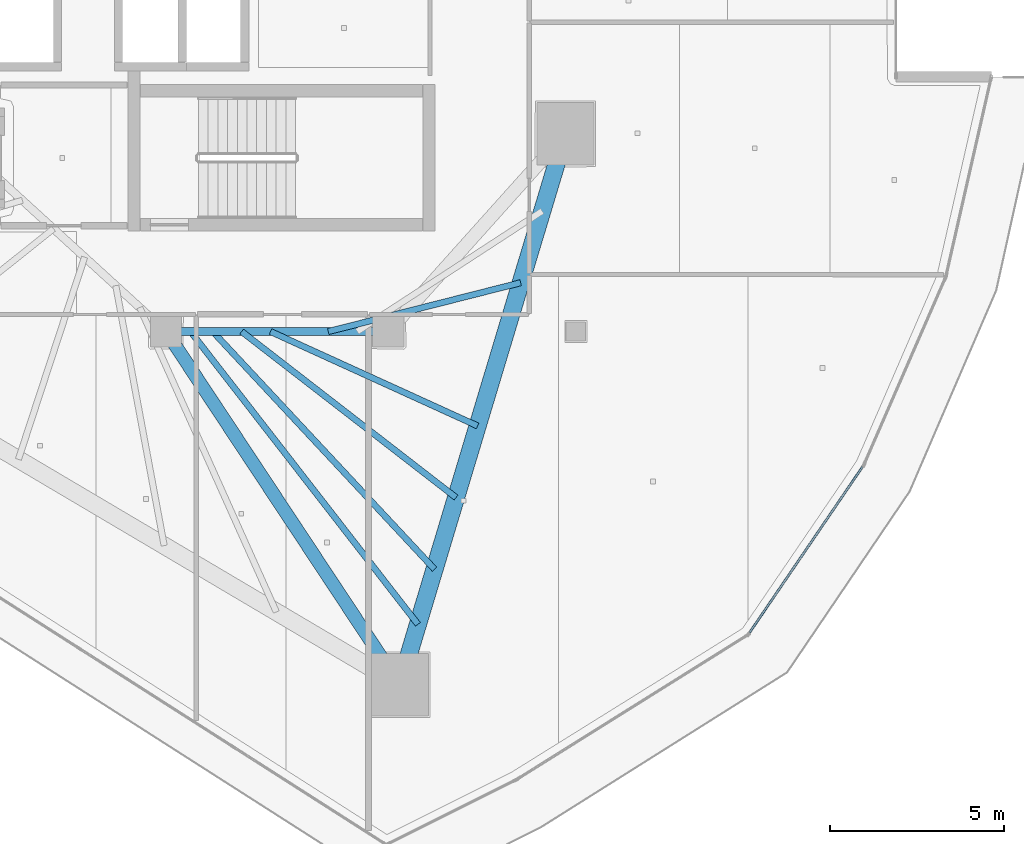
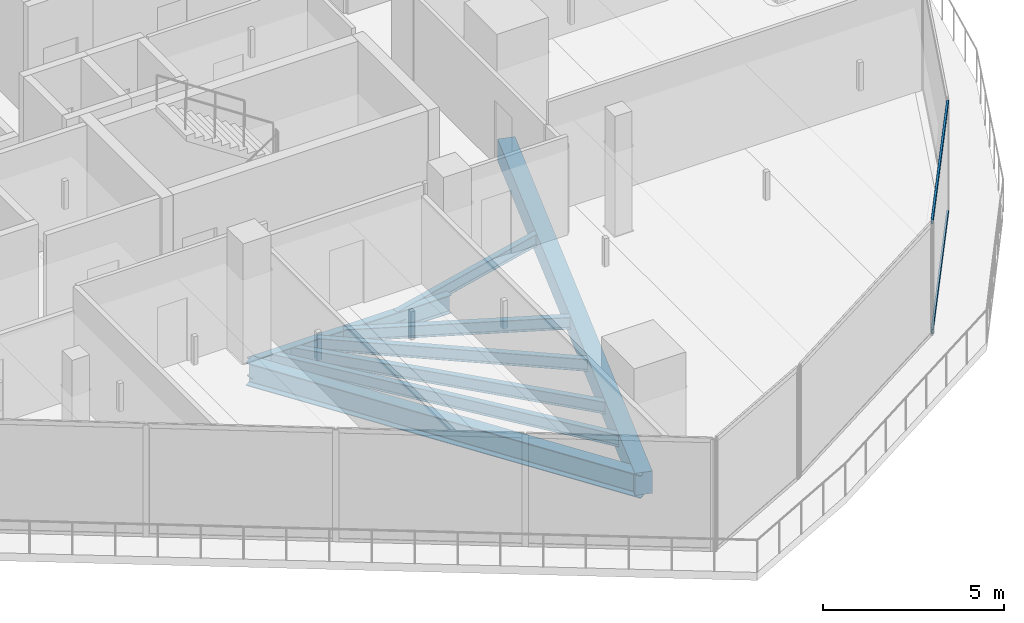
# One storey, part 9 of 33: 8 beams, 2 members, 1 element without a shape of its own.
"""IFC4 building model written with IfcOpenShell, lengths in metres."""

from ifc_helpers import new_model, si_unit, direction, frame, origin, origin_2d, place, context, subcontext, project, spatial, rectangle, hollow_rectangle, i_section, extrude, material, layer, layer_set, material_profile, profile_set, type_object, element, aggregate, save


model = new_model("IFC4")

# Units and contexts
model_context = context("Model", 3, precision=1e-05, world=origin(), true_north=direction((0.0, 1.0)))
body_context = subcontext(model_context, "Body", "Model", "MODEL_VIEW")
ifc_project = project(units=[si_unit("LENGTHUNIT", "METRE"), si_unit("AREAUNIT", "SQUARE_METRE"), si_unit("VOLUMEUNIT", "CUBIC_METRE"), si_unit("PLANEANGLEUNIT", "RADIAN"), si_unit("MASSUNIT", "GRAM", prefix="KILO")], contexts=[model_context])

# Site, building, storey
site_placement = place(None, origin())
site = spatial("IfcSite", under=ifc_project, at=site_placement, CompositionType="ELEMENT")
building_placement = place(site_placement, origin())
building = spatial("IfcBuilding", under=site, at=building_placement, Name="Qorvath Tower", CompositionType="ELEMENT")
storey_placement = place(building_placement, frame((0.0, 0.0, 237.449951171875)))
storey = spatial("IfcBuildingStorey", under=building, at=storey_placement, Name="L55", CompositionType="ELEMENT", Elevation=237.449951171875)

# Beams
ifc_material_1 = material(Name="Steel ASTM A992 Grade 50", Category="steel")
ifc_material_profile_1 = material_profile(ifc_material_1, i_section(OverallWidth=0.381103515625, OverallDepth=0.77294921875, WebThickness=0.0166015625, FlangeThickness=0.027099609375, FilletRadius=0.01904296875, at=origin_2d()), Name="W30x173")
ifc_profile_set_1 = profile_set([ifc_material_profile_1], Name="Steel ASTM A992 Grade 50")
beam_type_1 = type_object("IfcBeamType", Name="BM-FG3", PredefinedType="BEAM", material=ifc_profile_set_1)
beam_1_placement = place(storey_placement, frame((-23.60009765625, -11.449951171875, -0.656494140625), z_axis=(0.551500517741, -0.834174549439, 0.0), x_axis=(0.834174549439, 0.551500517741, 0.0)))
element("IfcBeam", 1, at=beam_1_placement, inside=storey, type_object=beam_type_1, Name="Radial Floor Girder CC4-MC3 L55", PredefinedType="BEAM", context=body_context, shape_type="SweptSolid", body=[
    extrude(i_section(OverallWidth=0.381103515625, OverallDepth=0.77294921875, WebThickness=0.0166015625, FlangeThickness=0.027099609375, FilletRadius=0.01904296875, at=origin_2d()), origin(), (0.0, 0.0, 1.0), 12.200439453125),
])
ifc_material_2 = material(Name="Steel ASTM A992 Grade 50", Category="steel")
ifc_material_profile_2 = material_profile(ifc_material_2, i_section(OverallWidth=0.22998046875, OverallDepth=0.616943359375, WebThickness=0.01318359375, FlangeThickness=0.022216796875, FilletRadius=0.014892578125, at=origin_2d()), Name="W24x94")
ifc_profile_set_2 = profile_set([ifc_material_profile_2], Name="Steel ASTM A992 Grade 50")
beam_type_2 = type_object("IfcBeamType", Name="BM-FG6", PredefinedType="BEAM", material=ifc_profile_set_2)
beam_2_placement = place(storey_placement, frame((-17.199951171875, -11.449951171875, -0.57861328125), z_axis=(-1.0, 0.0, 0.0), x_axis=(0.0, -1.0, 0.0)))
element("IfcBeam", 2, at=beam_2_placement, inside=storey, type_object=beam_type_2, Name="Core Ring Girder CC3-CC4 L55", PredefinedType="BEAM", context=body_context, shape_type="SweptSolid", body=[
    extrude(i_section(OverallWidth=0.22998046875, OverallDepth=0.616943359375, WebThickness=0.01318359375, FlangeThickness=0.022216796875, FilletRadius=0.014892578125, at=origin_2d()), origin(), (0.0, 0.0, 1.0), 6.400146484375),
])
ifc_material_3 = material(Name="Steel ASTM A992 Grade 50", Category="steel")
ifc_material_profile_3 = material_profile(ifc_material_3, i_section(OverallWidth=0.177978515625, OverallDepth=0.406005859375, WebThickness=0.0078125, FlangeThickness=0.0126953125, FilletRadius=0.010986328125, at=origin_2d()), Name="W16x40")
ifc_profile_set_3 = profile_set([ifc_material_profile_3], Name="Steel ASTM A992 Grade 50")
beam_type_3 = type_object("IfcBeamType", Name="BM-FJ3", PredefinedType="JOIST", material=ifc_profile_set_3)
beam_3_placement = place(storey_placement, frame((-18.927978515625, -11.449951171875, -0.47314453125), z_axis=(0.969231577698, 0.246150662794, 0.0), x_axis=(-0.246150662794, 0.969231577698, 0.0)))
element("IfcBeam", 3, at=beam_3_placement, inside=storey, type_object=beam_type_3, Name="Composite Floor Joist SE2 L55", PredefinedType="JOIST", context=body_context, shape_type="SweptSolid", body=[
    extrude(i_section(OverallWidth=0.177978515625, OverallDepth=0.406005859375, WebThickness=0.0078125, FlangeThickness=0.0126953125, FilletRadius=0.010986328125, at=origin_2d()), origin(), (0.0, 0.0, 1.0), 5.718017578125),
])
beam_4_placement = place(storey_placement, frame((-20.592041015625, -11.449951171875, -0.47314453125), z_axis=(0.909945081179, -0.414728765868, 0.0), x_axis=(0.414728765868, 0.909945081179, 0.0)))
element("IfcBeam", 4, at=beam_4_placement, inside=storey, type_object=beam_type_3, Name="Composite Floor Joist SE4 L55", PredefinedType="JOIST", context=body_context, shape_type="SweptSolid", body=[
    extrude(i_section(OverallWidth=0.177978515625, OverallDepth=0.406005859375, WebThickness=0.0078125, FlangeThickness=0.0126953125, FilletRadius=0.010986328125, at=origin_2d()), origin(), (0.0, 0.0, 1.0), 6.554931640625),
])
beam_5_placement = place(storey_placement, frame((-21.424072265625, -11.449951171875, -0.47314453125), z_axis=(0.790693445503, -0.612212279555, 0.0), x_axis=(0.612212279555, 0.790693445503, 0.0)))
element("IfcBeam", 5, at=beam_5_placement, inside=storey, type_object=beam_type_3, Name="Composite Floor Joist SE5 L55", PredefinedType="JOIST", context=body_context, shape_type="SweptSolid", body=[
    extrude(i_section(OverallWidth=0.177978515625, OverallDepth=0.406005859375, WebThickness=0.0078125, FlangeThickness=0.0126953125, FilletRadius=0.010986328125, at=origin_2d()), origin(), (0.0, 0.0, 1.0), 7.810546875),
])
beam_6_placement = place(storey_placement, frame((-22.256103515625, -11.449951171875, -0.47314453125), z_axis=(0.682249490937, -0.731119437654, 0.0), x_axis=(0.731119437654, 0.682249490937, 0.0)))
element("IfcBeam", 6, at=beam_6_placement, inside=storey, type_object=beam_type_3, Name="Composite Floor Joist SE6 L55", PredefinedType="JOIST", context=body_context, shape_type="SweptSolid", body=[
    extrude(i_section(OverallWidth=0.177978515625, OverallDepth=0.406005859375, WebThickness=0.0078125, FlangeThickness=0.0126953125, FilletRadius=0.010986328125, at=origin_2d()), origin(), (0.0, 0.0, 1.0), 9.362060546875),
])
beam_7_placement = place(storey_placement, frame((-22.89599609375, -11.449951171875, -0.47314453125), z_axis=(0.61345131907, -0.789732536452, 0.0), x_axis=(0.789732536452, 0.61345131907, 0.0)))
element("IfcBeam", 7, at=beam_7_placement, inside=storey, type_object=beam_type_3, Name="Composite Floor Joist SE7 L55", PredefinedType="JOIST", context=body_context, shape_type="SweptSolid", body=[
    extrude(i_section(OverallWidth=0.177978515625, OverallDepth=0.406005859375, WebThickness=0.0078125, FlangeThickness=0.0126953125, FilletRadius=0.010986328125, at=origin_2d()), origin(), (0.0, 0.0, 1.0), 10.676513671875),
])
ifc_material_4 = material(Name="Concrete C45/55", Category="concrete")
ifc_material_profile_4 = material_profile(ifc_material_4, rectangle(XDim=0.5, YDim=0.75, at=origin_2d()), Name="RCB 750x500")
ifc_profile_set_4 = profile_set([ifc_material_profile_4], Name="Concrete C45/55")
beam_type_4 = type_object("IfcBeamType", Name="BM-RCB3", PredefinedType="SPANDREL", material=ifc_profile_set_4)
beam_8_placement = place(storey_placement, frame((-16.87158203125, -21.627197265625, -0.64501953125), z_axis=(0.28812763802, 0.957592013443, 0.0), x_axis=(-0.957592013443, 0.28812763802, 0.0)))
element("IfcBeam", 8, at=beam_8_placement, inside=storey, type_object=beam_type_4, Name="Perimeter Loggia Frame Beam MC3-MC4 L55", PredefinedType="SPANDREL", context=body_context, shape_type="SweptSolid", body=[
    extrude(rectangle(XDim=0.5, YDim=0.75, at=origin_2d()), origin(), (0.0, 0.0, 1.0), 16.572265625),
])

# Curtain wall, members
ifc_material_5 = material(Name="Anodised aluminium and triple low-E glass", Category="aluminium")
ifc_layer = layer(ifc_material_5, 0.179931640625)
ifc_layer_set = layer_set([ifc_layer], Name="CW-SYS-3")
curtain_wall_type = type_object("IfcCurtainWallType", Name="CW-SYS-3", PredefinedType="NOTDEFINED", material=ifc_layer_set)
curtain_wall_placement = place(storey_placement, origin())
curtain_wall = element("IfcCurtainWall", 9, at=curtain_wall_placement, inside=storey, type_object=curtain_wall_type, Name="Curtain Wall CW-3 CW-T-L55-5.1", PredefinedType="NOTDEFINED")
ifc_material_6 = material(Name="Anodised aluminium 6063-T6", Category="aluminium")
ifc_material_profile_5 = material_profile(ifc_material_6, hollow_rectangle(XDim=0.06494140625, YDim=0.159912109375, WallThickness=0.00341796875, InnerFilletRadius=0.00341796875, OuterFilletRadius=0.007080078125, at=origin_2d()), Name="CWT 160x65")
ifc_profile_set_5 = profile_set([ifc_material_profile_5], Name="Anodised aluminium 6063-T6")
member_type = type_object("IfcMemberType", Name="CWT-160", PredefinedType="USERDEFINED", material=ifc_profile_set_5)
member_1_placement = place(storey_placement, frame((-6.794921875, -20.12255859375, 0.032470703125), z_axis=(0.562978896765, 0.826471271005, 0.0), x_axis=(-0.826471271005, 0.562978896765, 0.0)))
member_1 = element("IfcMember", 10, at=member_1_placement, type_object=member_type, Name="CW-3 transom 1.1", ObjectType="TRANSOM", PredefinedType="USERDEFINED", context=body_context, shape_type="SweptSolid", body=[
    extrude(hollow_rectangle(XDim=0.06494140625, YDim=0.159912109375, WallThickness=0.00341796875, InnerFilletRadius=0.00341796875, OuterFilletRadius=0.007080078125, at=origin_2d()), origin(), (0.0, 0.0, 1.0), 5.779052734375),
])
member_2_placement = place(storey_placement, frame((-6.794921875, -20.12255859375, 3.74755859375), z_axis=(0.562978896765, 0.826471271005, 0.0), x_axis=(-0.826471271005, 0.562978896765, 0.0)))
member_2 = element("IfcMember", 11, at=member_2_placement, type_object=member_type, Name="CW-3 transom 1.2", ObjectType="TRANSOM", PredefinedType="USERDEFINED", context=body_context, shape_type="SweptSolid", body=[
    extrude(hollow_rectangle(XDim=0.06494140625, YDim=0.159912109375, WallThickness=0.00341796875, InnerFilletRadius=0.00341796875, OuterFilletRadius=0.007080078125, at=origin_2d()), origin(), (0.0, 0.0, 1.0), 5.779052734375),
])
aggregate(curtain_wall, [member_1, member_2])

save(model, "model.ifc")
